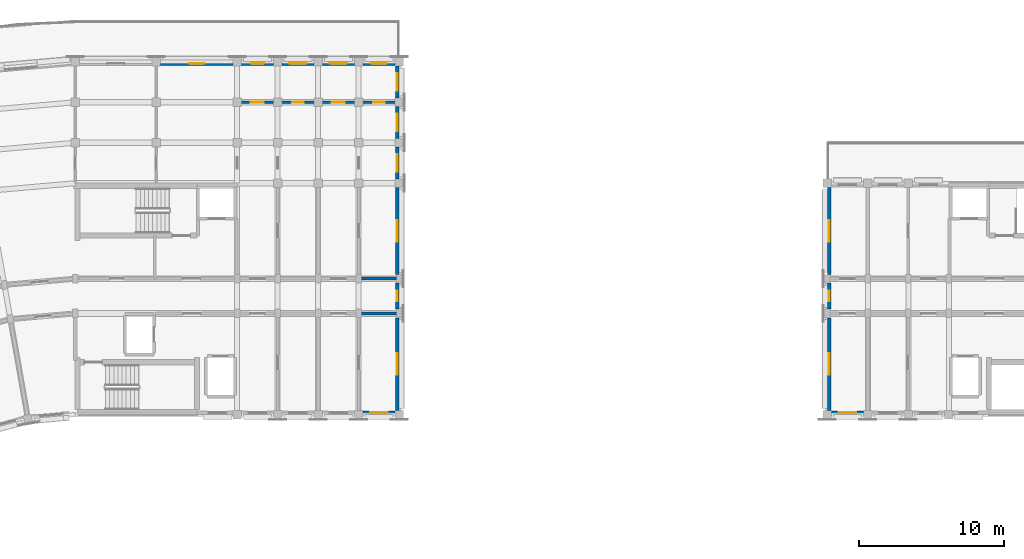
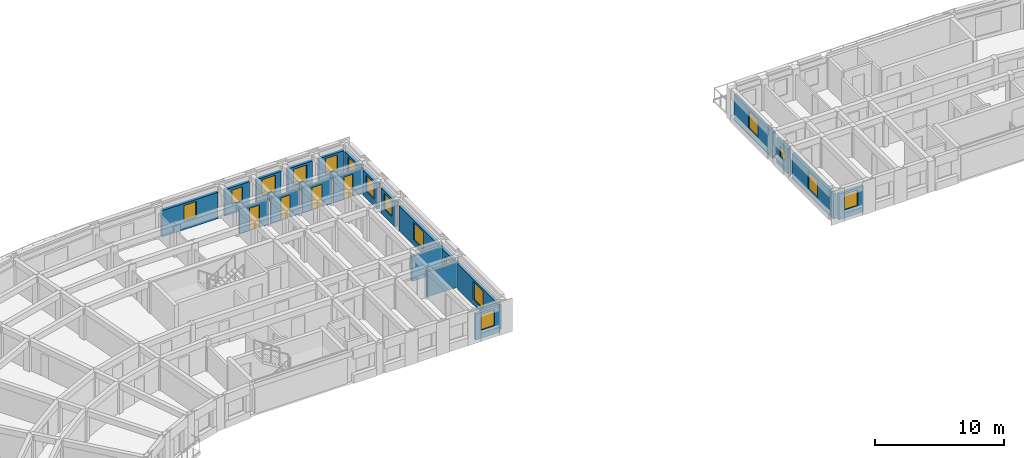
# One storey, part 16 of 32: 22 walls, 16 windows, 4 doors, 20 openings.
"""IFC4 building model written with IfcOpenShell, lengths in metres."""

from ifc_helpers import new_model, si_unit, direction, frame, frame_2d, origin, place, context, subcontext, project, spatial, rectangle, extrude, material, layer, layer_set, type_object, element, fill, save


model = new_model("IFC4")

# Units and contexts
model_context = context("Model", 3, precision=1e-05, world=origin(), true_north=direction((0.0, 1.0)))
body_context = subcontext(model_context, "Body", "Model", "MODEL_VIEW")
ifc_project = project(units=[si_unit("LENGTHUNIT", "METRE"), si_unit("AREAUNIT", "SQUARE_METRE"), si_unit("VOLUMEUNIT", "CUBIC_METRE"), si_unit("PLANEANGLEUNIT", "RADIAN"), si_unit("MASSUNIT", "GRAM", prefix="KILO")], contexts=[model_context])

# Site, building, storey
site_placement = place(None, origin())
site = spatial("IfcSite", under=ifc_project, at=site_placement, CompositionType="ELEMENT")
building_placement = place(site_placement, origin())
building = spatial("IfcBuilding", under=site, at=building_placement, Name="Kiranvali Square Residences", CompositionType="ELEMENT")
storey_placement = place(building_placement, frame((0.0, 0.0, 40.199951171875)))
storey = spatial("IfcBuildingStorey", under=building, at=storey_placement, Name="L12", CompositionType="ELEMENT", Elevation=40.199951171875)

# Walls
ifc_material_1 = material(Name="Autoclaved aerated concrete blockwork masonry", Category="masonry")
ifc_layer_1 = layer(ifc_material_1, 0.199951171875)
ifc_layer_set_1 = layer_set([ifc_layer_1], Name="Autoclaved aerated concrete blockwork masonry")
wall_type_1 = type_object("IfcWallType", Name="WL-COR-200", PredefinedType="STANDARD", material=ifc_layer_set_1)
for number, where, z_axis, x_axis, name in (
    (1, (67.800048828125, 113.60009765625, 0.0), (0.0, 0.0, 1.0), (1.0, 0.0, 0.0), "L12 architectural wall WL-L12-A-A1CI-3"),
    (2, (67.800048828125, 116.0, 0.0), (0.0, 0.0, 1.0), (1.0, 0.0, 0.0), "L12 architectural wall WL-L12-A-A1CO-3"),
):
    element("IfcWall", number, at=place(storey_placement, frame(where, z_axis=z_axis, x_axis=x_axis)), inside=storey, type_object=wall_type_1, Name=name, PredefinedType="STANDARD", context=body_context, shape_type="SweptSolid", body=[
        extrude(rectangle(XDim=2.800048828125, YDim=0.199951171875, at=frame_2d((1.39990234375, 0.0))), origin(), (0.0, 0.0, 1.0), 2.3720703125),
    ])

# Wall, opening, window
ifc_material_2 = material(Name="Breathable lime-rendered clay brick masonry", Category="masonry")
ifc_layer_2 = layer(ifc_material_2, 0.25)
ifc_layer_set_2 = layer_set([ifc_layer_2], Name="Breathable lime-rendered clay brick masonry")
wall_type_2 = type_object("IfcWallType", Name="WL-EXT-250", PredefinedType="STANDARD", material=ifc_layer_set_2)
wall_1_placement = place(storey_placement, frame((54.103515625, 130.875, 0.0), z_axis=(0.0, 0.0, 1.0), x_axis=(1.0, 0.0, 0.0)))
wall_1 = element("IfcWall", 3, at=wall_1_placement, inside=storey, type_object=wall_type_2, Name="L12 exterior wall A-L12-A1O-1", PredefinedType="STANDARD", context=body_context, shape_type="SweptSolid", body=[
    extrude(rectangle(XDim=4.992919921875, YDim=0.25, at=frame_2d((2.49658203125, 0.0))), origin(), (0.0, 0.0, 1.0), 2.47998046875),
])
opening_1_placement = place(wall_1_placement, frame((1.946533203125, 0.0, 0.830078125)))
opening_1 = element("IfcOpeningElement", 4, at=opening_1_placement, cuts=wall_1, Name="Opening W-15", PredefinedType="OPENING", context=body_context, shape_type="SweptSolid", body=[
    extrude(rectangle(XDim=1.10009765625, YDim=1.449951171875, at=frame_2d((0.550048828125, 0.72509765625))), frame((0.0, 0.135009765625, 0.0), z_axis=(0.0, -1.0, 0.0), x_axis=(1.0, 0.0, 0.0)), (0.0, 0.0, 1.0), 0.27001953125),
])
ifc_material_3 = material(Name="Solar-control low-e double glazing", Category="glass")
window_type_1 = type_object("IfcWindowType", Name="WIN-RES-1100x1450", PartitioningType="SINGLE_PANEL", PredefinedType="WINDOW", material=ifc_material_3)
window_1_placement = place(opening_1_placement, origin())
window_1 = element("IfcWindow", 5, at=window_1_placement, inside=storey, type_object=window_type_1, Name="L12 recessed window A-L12-A1O-1", OverallHeight=1.449951171875, OverallWidth=1.10009765625, PartitioningType="SINGLE_PANEL", PredefinedType="WINDOW", context=body_context, shape_type="SweptSolid", body=[
    extrude(rectangle(XDim=1.10009765625, YDim=1.449951171875, at=frame_2d((0.550048828125, 0.72509765625))), frame((0.0, 0.030029296875, 0.0), z_axis=(0.0, -1.0, 0.0), x_axis=(1.0, 0.0, 0.0)), (0.0, 0.0, 1.0), 0.06005859375),
])
fill(opening_1, window_1)

wall_2_placement = place(storey_placement, frame((59.70361328125, 130.875, 0.0), z_axis=(0.0, 0.0, 1.0), x_axis=(1.0, 0.0, 0.0)))
wall_2 = element("IfcWall", 6, at=wall_2_placement, inside=storey, type_object=wall_type_2, Name="L12 exterior wall A-L12-A1O-2", PredefinedType="STANDARD", context=body_context, shape_type="SweptSolid", body=[
    extrude(rectangle(XDim=2.19287109375, YDim=0.25, at=frame_2d((1.096435546875, 0.0))), origin(), (0.0, 0.0, 1.0), 2.47998046875),
])
opening_2_placement = place(wall_2_placement, frame((0.62158203125, 0.0, 0.8798828125)))
opening_2 = element("IfcOpeningElement", 7, at=opening_2_placement, cuts=wall_2, Name="Opening W-16", PredefinedType="OPENING", context=body_context, shape_type="SweptSolid", body=[
    extrude(rectangle(XDim=0.949951171875, YDim=1.35009765625, at=frame_2d((0.47509765625, 0.675048828125))), frame((0.0, 0.135009765625, 0.0), z_axis=(0.0, -1.0, 0.0), x_axis=(1.0, 0.0, 0.0)), (0.0, 0.0, 1.0), 0.27001953125),
])
window_type_2 = type_object("IfcWindowType", Name="WIN-RES-950x1350", PartitioningType="SINGLE_PANEL", PredefinedType="WINDOW", material=ifc_material_3)
window_2_placement = place(opening_2_placement, origin())
window_2 = element("IfcWindow", 8, at=window_2_placement, inside=storey, type_object=window_type_2, Name="L12 recessed window A-L12-A1O-2", OverallHeight=1.35009765625, OverallWidth=0.949951171875, PartitioningType="SINGLE_PANEL", PredefinedType="WINDOW", context=body_context, shape_type="SweptSolid", body=[
    extrude(rectangle(XDim=0.949951171875, YDim=1.35009765625, at=frame_2d((0.47509765625, 0.675048828125))), frame((0.0, 0.030029296875, 0.0), z_axis=(0.0, -1.0, 0.0), x_axis=(1.0, 0.0, 0.0)), (0.0, 0.0, 1.0), 0.06005859375),
])
fill(opening_2, window_2)

wall_3_placement = place(storey_placement, frame((62.50341796875, 130.875, 0.0), z_axis=(0.0, 0.0, 1.0), x_axis=(1.0, 0.0, 0.0)))
wall_3 = element("IfcWall", 9, at=wall_3_placement, inside=storey, type_object=wall_type_2, Name="L12 exterior wall A-L12-A1O-3", PredefinedType="STANDARD", context=body_context, shape_type="SweptSolid", body=[
    extrude(rectangle(XDim=2.193115234375, YDim=0.25, at=frame_2d((1.0966796875, 0.0))), origin(), (0.0, 0.0, 1.0), 2.47998046875),
])
opening_3_placement = place(wall_3_placement, frame((0.49658203125, 0.0, 0.780029296875)))
opening_3 = element("IfcOpeningElement", 10, at=opening_3_placement, cuts=wall_3, Name="Opening W-06", PredefinedType="OPENING", context=body_context, shape_type="SweptSolid", body=[
    extrude(rectangle(XDim=1.199951171875, YDim=1.5, at=frame_2d((0.60009765625, 0.75))), frame((0.0, 0.135009765625, 0.0), z_axis=(0.0, -1.0, 0.0), x_axis=(1.0, 0.0, 0.0)), (0.0, 0.0, 1.0), 0.27001953125),
])
window_type_3 = type_object("IfcWindowType", Name="WIN-RES-1200x1500", PartitioningType="SINGLE_PANEL", PredefinedType="WINDOW", material=ifc_material_3)
window_3_placement = place(opening_3_placement, origin())
window_3 = element("IfcWindow", 11, at=window_3_placement, inside=storey, type_object=window_type_3, Name="L12 recessed window A-L12-A1O-3", OverallHeight=1.5, OverallWidth=1.199951171875, PartitioningType="SINGLE_PANEL", PredefinedType="WINDOW", context=body_context, shape_type="SweptSolid", body=[
    extrude(rectangle(XDim=1.199951171875, YDim=1.5, at=frame_2d((0.60009765625, 0.75))), frame((0.0, 0.030029296875, 0.0), z_axis=(0.0, -1.0, 0.0), x_axis=(1.0, 0.0, 0.0)), (0.0, 0.0, 1.0), 0.06005859375),
])
fill(opening_3, window_3)

wall_4_placement = place(storey_placement, frame((65.303466796875, 130.875, 0.0), z_axis=(0.0, 0.0, 1.0), x_axis=(1.0, 0.0, 0.0)))
wall_4 = element("IfcWall", 12, at=wall_4_placement, inside=storey, type_object=wall_type_2, Name="L12 exterior wall A-L12-A1O-4", PredefinedType="STANDARD", context=body_context, shape_type="SweptSolid", body=[
    extrude(rectangle(XDim=2.193115234375, YDim=0.25, at=frame_2d((1.0966796875, 0.0))), origin(), (0.0, 0.0, 1.0), 2.47998046875),
])
opening_4_placement = place(wall_4_placement, frame((0.49658203125, 0.0, 0.780029296875)))
opening_4 = element("IfcOpeningElement", 13, at=opening_4_placement, cuts=wall_4, Name="Opening W-06", PredefinedType="OPENING", context=body_context, shape_type="SweptSolid", body=[
    extrude(rectangle(XDim=1.199951171875, YDim=1.5, at=frame_2d((0.60009765625, 0.75))), frame((0.0, 0.135009765625, 0.0), z_axis=(0.0, -1.0, 0.0), x_axis=(1.0, 0.0, 0.0)), (0.0, 0.0, 1.0), 0.27001953125),
])
window_4_placement = place(opening_4_placement, origin())
window_4 = element("IfcWindow", 14, at=window_4_placement, inside=storey, type_object=window_type_3, Name="L12 recessed window A-L12-A1O-4", OverallHeight=1.5, OverallWidth=1.199951171875, PartitioningType="SINGLE_PANEL", PredefinedType="WINDOW", context=body_context, shape_type="SweptSolid", body=[
    extrude(rectangle(XDim=1.199951171875, YDim=1.5, at=frame_2d((0.60009765625, 0.75))), frame((0.0, 0.030029296875, 0.0), z_axis=(0.0, -1.0, 0.0), x_axis=(1.0, 0.0, 0.0)), (0.0, 0.0, 1.0), 0.06005859375),
])
fill(opening_4, window_4)

wall_5_placement = place(storey_placement, frame((68.103515625, 130.875, 0.0), z_axis=(0.0, 0.0, 1.0), x_axis=(1.0, 0.0, 0.0)))
wall_5 = element("IfcWall", 15, at=wall_5_placement, inside=storey, type_object=wall_type_2, Name="L12 exterior wall A-L12-A1O-5", PredefinedType="STANDARD", context=body_context, shape_type="SweptSolid", body=[
    extrude(rectangle(XDim=2.19287109375, YDim=0.25, at=frame_2d((1.096435546875, 0.0))), origin(), (0.0, 0.0, 1.0), 2.47998046875),
])
opening_5_placement = place(wall_5_placement, frame((0.54638671875, 0.0, 0.830078125)))
opening_5 = element("IfcOpeningElement", 16, at=opening_5_placement, cuts=wall_5, Name="Opening W-15", PredefinedType="OPENING", context=body_context, shape_type="SweptSolid", body=[
    extrude(rectangle(XDim=1.10009765625, YDim=1.449951171875, at=frame_2d((0.550048828125, 0.72509765625))), frame((0.0, 0.135009765625, 0.0), z_axis=(0.0, -1.0, 0.0), x_axis=(1.0, 0.0, 0.0)), (0.0, 0.0, 1.0), 0.27001953125),
])
window_5_placement = place(opening_5_placement, origin())
window_5 = element("IfcWindow", 17, at=window_5_placement, inside=storey, type_object=window_type_1, Name="L12 recessed window A-L12-A1O-5", OverallHeight=1.449951171875, OverallWidth=1.10009765625, PartitioningType="SINGLE_PANEL", PredefinedType="WINDOW", context=body_context, shape_type="SweptSolid", body=[
    extrude(rectangle(XDim=1.10009765625, YDim=1.449951171875, at=frame_2d((0.550048828125, 0.72509765625))), frame((0.0, 0.030029296875, 0.0), z_axis=(0.0, -1.0, 0.0), x_axis=(1.0, 0.0, 0.0)), (0.0, 0.0, 1.0), 0.06005859375),
])
fill(opening_5, window_5)

wall_6_placement = place(storey_placement, frame((68.103515625, 106.72509765625, 0.0), z_axis=(0.0, 0.0, 1.0), x_axis=(1.0, 0.0, 0.0)))
wall_6 = element("IfcWall", 18, at=wall_6_placement, inside=storey, type_object=wall_type_2, Name="L12 exterior wall A-L12-A1I-3", PredefinedType="STANDARD", context=body_context, shape_type="SweptSolid", body=[
    extrude(rectangle(XDim=2.19287109375, YDim=0.25, at=frame_2d((1.096435546875, 0.0))), origin(), (0.0, 0.0, 1.0), 2.47216796875),
])
opening_6_placement = place(wall_6_placement, frame((0.49658203125, 0.0, 0.77197265625)))
opening_6 = element("IfcOpeningElement", 19, at=opening_6_placement, cuts=wall_6, Name="Opening W-06", PredefinedType="OPENING", context=body_context, shape_type="SweptSolid", body=[
    extrude(rectangle(XDim=1.199951171875, YDim=1.5, at=frame_2d((0.60009765625, 0.75))), frame((0.0, 0.135009765625, 0.0), z_axis=(0.0, -1.0, 0.0), x_axis=(1.0, 0.0, 0.0)), (0.0, 0.0, 1.0), 0.27001953125),
])
window_6_placement = place(opening_6_placement, origin())
window_6 = element("IfcWindow", 20, at=window_6_placement, inside=storey, type_object=window_type_3, Name="L12 recessed window A-L12-A1I-3", OverallHeight=1.5, OverallWidth=1.199951171875, PartitioningType="SINGLE_PANEL", PredefinedType="WINDOW", context=body_context, shape_type="SweptSolid", body=[
    extrude(rectangle(XDim=1.199951171875, YDim=1.5, at=frame_2d((0.60009765625, 0.75))), frame((0.0, 0.030029296875, 0.0), z_axis=(0.0, -1.0, 0.0), x_axis=(1.0, 0.0, 0.0)), (0.0, 0.0, 1.0), 0.06005859375),
])
fill(opening_6, window_6)

wall_7_placement = place(storey_placement, frame((70.47509765625, 106.903564453125, 0.0), z_axis=(0.0, 0.0, 1.0), x_axis=(0.0, 1.0, 0.0)))
wall_7 = element("IfcWall", 21, at=wall_7_placement, inside=storey, type_object=wall_type_2, Name="L12 exterior wall A-L12-A1END-0", PredefinedType="STANDARD", context=body_context, shape_type="SweptSolid", body=[
    extrude(rectangle(XDim=6.392822265625, YDim=0.25, at=frame_2d((3.1962890625, 0.0))), origin(), (0.0, 0.0, 1.0), 2.3720703125),
])
opening_7_placement = place(wall_7_placement, frame((2.446533203125, 0.0, 0.52197265625)))
opening_7 = element("IfcOpeningElement", 22, at=opening_7_placement, cuts=wall_7, Name="Opening W-05", PredefinedType="OPENING", context=body_context, shape_type="SweptSolid", body=[
    extrude(rectangle(XDim=1.5, YDim=1.64990234375, at=frame_2d((0.75, 0.824951171875))), frame((0.0, 0.135009765625, 0.0), z_axis=(0.0, -1.0, 0.0), x_axis=(1.0, 0.0, 0.0)), (0.0, 0.0, 1.0), 0.27001953125),
])
window_type_4 = type_object("IfcWindowType", Name="WIN-RES-1500x1650", PartitioningType="DOUBLE_PANEL_VERTICAL", PredefinedType="WINDOW", material=ifc_material_3)
window_7_placement = place(opening_7_placement, origin())
window_7 = element("IfcWindow", 23, at=window_7_placement, inside=storey, type_object=window_type_4, Name="L12 recessed window A-L12-A1END-0", OverallHeight=1.64990234375, OverallWidth=1.5, PartitioningType="DOUBLE_PANEL_VERTICAL", PredefinedType="WINDOW", context=body_context, shape_type="SweptSolid", body=[
    extrude(rectangle(XDim=1.5, YDim=1.64990234375, at=frame_2d((0.75, 0.824951171875))), frame((0.0, 0.030029296875, 0.0), z_axis=(0.0, -1.0, 0.0), x_axis=(1.0, 0.0, 0.0)), (0.0, 0.0, 1.0), 0.06005859375),
])
fill(opening_7, window_7)

wall_8_placement = place(storey_placement, frame((70.47509765625, 113.903564453125, 0.0), z_axis=(0.0, 0.0, 1.0), x_axis=(0.0, 1.0, 0.0)))
wall_8 = element("IfcWall", 24, at=wall_8_placement, inside=storey, type_object=wall_type_2, Name="L12 exterior wall A-L12-A1END-1", PredefinedType="STANDARD", context=body_context, shape_type="SweptSolid", body=[
    extrude(rectangle(XDim=1.79296875, YDim=0.25, at=frame_2d((0.896484375, 0.0))), origin(), (0.0, 0.0, 1.0), 2.3720703125),
])
opening_8_placement = place(wall_8_placement, frame((0.521484375, 0.0, 0.8798828125)))
opening_8 = element("IfcOpeningElement", 25, at=opening_8_placement, cuts=wall_8, Name="Opening W-07", PredefinedType="OPENING", context=body_context, shape_type="SweptSolid", body=[
    extrude(rectangle(XDim=0.75, YDim=1.050048828125, at=frame_2d((0.375, 0.52490234375))), frame((0.0, 0.135009765625, 0.0), z_axis=(0.0, -1.0, 0.0), x_axis=(1.0, 0.0, 0.0)), (0.0, 0.0, 1.0), 0.27001953125),
])
window_type_5 = type_object("IfcWindowType", Name="WIN-WET-750x1050", PartitioningType="SINGLE_PANEL", PredefinedType="WINDOW", material=ifc_material_3)
window_8_placement = place(opening_8_placement, origin())
window_8 = element("IfcWindow", 26, at=window_8_placement, inside=storey, type_object=window_type_5, Name="L12 recessed window A-L12-A1END-1", OverallHeight=1.050048828125, OverallWidth=0.75, PartitioningType="SINGLE_PANEL", PredefinedType="WINDOW", context=body_context, shape_type="SweptSolid", body=[
    extrude(rectangle(XDim=0.75, YDim=1.050048828125, at=frame_2d((0.375, 0.52490234375))), frame((0.0, 0.030029296875, 0.0), z_axis=(0.0, -1.0, 0.0), x_axis=(1.0, 0.0, 0.0)), (0.0, 0.0, 1.0), 0.06005859375),
])
fill(opening_8, window_8)

wall_9_placement = place(storey_placement, frame((70.47509765625, 116.303466796875, 0.0), z_axis=(0.0, 0.0, 1.0), x_axis=(0.0, 1.0, 0.0)))
wall_9 = element("IfcWall", 27, at=wall_9_placement, inside=storey, type_object=wall_type_2, Name="L12 exterior wall A-L12-A1END-2", PredefinedType="STANDARD", context=body_context, shape_type="SweptSolid", body=[
    extrude(rectangle(XDim=5.992919921875, YDim=0.25, at=frame_2d((2.99658203125, 0.0))), origin(), (0.0, 0.0, 1.0), 2.3720703125),
])
opening_9_placement = place(wall_9_placement, frame((2.24658203125, 0.0, 0.52197265625)))
opening_9 = element("IfcOpeningElement", 28, at=opening_9_placement, cuts=wall_9, Name="Opening W-05", PredefinedType="OPENING", context=body_context, shape_type="SweptSolid", body=[
    extrude(rectangle(XDim=1.5, YDim=1.64990234375, at=frame_2d((0.75, 0.824951171875))), frame((0.0, 0.135009765625, 0.0), z_axis=(0.0, -1.0, 0.0), x_axis=(1.0, 0.0, 0.0)), (0.0, 0.0, 1.0), 0.27001953125),
])
window_9_placement = place(opening_9_placement, origin())
window_9 = element("IfcWindow", 29, at=window_9_placement, inside=storey, type_object=window_type_4, Name="L12 recessed window A-L12-A1END-2", OverallHeight=1.64990234375, OverallWidth=1.5, PartitioningType="DOUBLE_PANEL_VERTICAL", PredefinedType="WINDOW", context=body_context, shape_type="SweptSolid", body=[
    extrude(rectangle(XDim=1.5, YDim=1.64990234375, at=frame_2d((0.75, 0.824951171875))), frame((0.0, 0.030029296875, 0.0), z_axis=(0.0, -1.0, 0.0), x_axis=(1.0, 0.0, 0.0)), (0.0, 0.0, 1.0), 0.06005859375),
])
fill(opening_9, window_9)

wall_10_placement = place(storey_placement, frame((70.47509765625, 122.903564453125, 0.0), z_axis=(0.0, 0.0, 1.0), x_axis=(0.0, 1.0, 0.0)))
wall_10 = element("IfcWall", 30, at=wall_10_placement, inside=storey, type_object=wall_type_2, Name="L12 exterior wall A-L12-A1END-3", PredefinedType="STANDARD", context=body_context, shape_type="SweptSolid", body=[
    extrude(rectangle(XDim=2.19287109375, YDim=0.25, at=frame_2d((1.096435546875, 0.0))), origin(), (0.0, 0.0, 1.0), 2.3720703125),
])
opening_10_placement = place(wall_10_placement, frame((0.49658203125, 0.0, 0.672119140625)))
opening_10 = element("IfcOpeningElement", 31, at=opening_10_placement, cuts=wall_10, Name="Opening W-06", PredefinedType="OPENING", context=body_context, shape_type="SweptSolid", body=[
    extrude(rectangle(XDim=1.199951171875, YDim=1.5, at=frame_2d((0.60009765625, 0.75))), frame((0.0, 0.135009765625, 0.0), z_axis=(0.0, -1.0, 0.0), x_axis=(1.0, 0.0, 0.0)), (0.0, 0.0, 1.0), 0.27001953125),
])
window_10_placement = place(opening_10_placement, origin())
window_10 = element("IfcWindow", 32, at=window_10_placement, inside=storey, type_object=window_type_3, Name="L12 recessed window A-L12-A1END-3", OverallHeight=1.5, OverallWidth=1.199951171875, PartitioningType="SINGLE_PANEL", PredefinedType="WINDOW", context=body_context, shape_type="SweptSolid", body=[
    extrude(rectangle(XDim=1.199951171875, YDim=1.5, at=frame_2d((0.60009765625, 0.75))), frame((0.0, 0.030029296875, 0.0), z_axis=(0.0, -1.0, 0.0), x_axis=(1.0, 0.0, 0.0)), (0.0, 0.0, 1.0), 0.06005859375),
])
fill(opening_10, window_10)

wall_11_placement = place(storey_placement, frame((70.47509765625, 125.70361328125, 0.0), z_axis=(0.0, 0.0, 1.0), x_axis=(0.0, 1.0, 0.0)))
wall_11 = element("IfcWall", 33, at=wall_11_placement, inside=storey, type_object=wall_type_2, Name="L12 exterior wall A-L12-A1END-4", PredefinedType="STANDARD", context=body_context, shape_type="SweptSolid", body=[
    extrude(rectangle(XDim=2.19287109375, YDim=0.25, at=frame_2d((1.096435546875, 0.0))), origin(), (0.0, 0.0, 1.0), 2.3720703125),
])
opening_11_placement = place(wall_11_placement, frame((0.49658203125, 0.0, 0.672119140625)))
opening_11 = element("IfcOpeningElement", 34, at=opening_11_placement, cuts=wall_11, Name="Opening W-06", PredefinedType="OPENING", context=body_context, shape_type="SweptSolid", body=[
    extrude(rectangle(XDim=1.199951171875, YDim=1.5, at=frame_2d((0.60009765625, 0.75))), frame((0.0, 0.135009765625, 0.0), z_axis=(0.0, -1.0, 0.0), x_axis=(1.0, 0.0, 0.0)), (0.0, 0.0, 1.0), 0.27001953125),
])
window_11_placement = place(opening_11_placement, origin())
window_11 = element("IfcWindow", 35, at=window_11_placement, inside=storey, type_object=window_type_3, Name="L12 recessed window A-L12-A1END-4", OverallHeight=1.5, OverallWidth=1.199951171875, PartitioningType="SINGLE_PANEL", PredefinedType="WINDOW", context=body_context, shape_type="SweptSolid", body=[
    extrude(rectangle(XDim=1.199951171875, YDim=1.5, at=frame_2d((0.60009765625, 0.75))), frame((0.0, 0.030029296875, 0.0), z_axis=(0.0, -1.0, 0.0), x_axis=(1.0, 0.0, 0.0)), (0.0, 0.0, 1.0), 0.06005859375),
])
fill(opening_11, window_11)

wall_12_placement = place(storey_placement, frame((70.47509765625, 128.50341796875, 0.0), z_axis=(0.0, 0.0, 1.0), x_axis=(0.0, 1.0, 0.0)))
wall_12 = element("IfcWall", 36, at=wall_12_placement, inside=storey, type_object=wall_type_2, Name="L12 exterior wall A-L12-A1END-5", PredefinedType="STANDARD", context=body_context, shape_type="SweptSolid", body=[
    extrude(rectangle(XDim=2.193115234375, YDim=0.25, at=frame_2d((1.0966796875, 0.0))), origin(), (0.0, 0.0, 1.0), 2.412109375),
])
opening_12_placement = place(wall_12_placement, frame((0.49658203125, 0.0, 0.7119140625)))
opening_12 = element("IfcOpeningElement", 37, at=opening_12_placement, cuts=wall_12, Name="Opening W-06", PredefinedType="OPENING", context=body_context, shape_type="SweptSolid", body=[
    extrude(rectangle(XDim=1.199951171875, YDim=1.5, at=frame_2d((0.60009765625, 0.75))), frame((0.0, 0.135009765625, 0.0), z_axis=(0.0, -1.0, 0.0), x_axis=(1.0, 0.0, 0.0)), (0.0, 0.0, 1.0), 0.27001953125),
])
window_12_placement = place(opening_12_placement, origin())
window_12 = element("IfcWindow", 38, at=window_12_placement, inside=storey, type_object=window_type_3, Name="L12 recessed window A-L12-A1END-5", OverallHeight=1.5, OverallWidth=1.199951171875, PartitioningType="SINGLE_PANEL", PredefinedType="WINDOW", context=body_context, shape_type="SweptSolid", body=[
    extrude(rectangle(XDim=1.199951171875, YDim=1.5, at=frame_2d((0.60009765625, 0.75))), frame((0.0, 0.030029296875, 0.0), z_axis=(0.0, -1.0, 0.0), x_axis=(1.0, 0.0, 0.0)), (0.0, 0.0, 1.0), 0.06005859375),
])
fill(opening_12, window_12)

wall_13_placement = place(storey_placement, frame((102.696533203125, 106.72509765625, 0.0), z_axis=(0.0, 0.0, 1.0), x_axis=(-1.0, 0.0, 0.0)))
wall_13 = element("IfcWall", 39, at=wall_13_placement, inside=storey, type_object=wall_type_2, Name="L12 exterior wall B-L12-A1I-2", PredefinedType="STANDARD", context=body_context, shape_type="SweptSolid", body=[
    extrude(rectangle(XDim=2.193115234375, YDim=0.25, at=frame_2d((1.0966796875, 0.0))), origin(), (0.0, 0.0, 1.0), 2.4521484375),
])
opening_13_placement = place(wall_13_placement, frame((0.49658203125, 0.0, 0.751953125)))
opening_13 = element("IfcOpeningElement", 40, at=opening_13_placement, cuts=wall_13, Name="Opening W-06", PredefinedType="OPENING", context=body_context, shape_type="SweptSolid", body=[
    extrude(rectangle(XDim=1.199951171875, YDim=1.5, at=frame_2d((0.60009765625, 0.75))), frame((0.0, 0.135009765625, 0.0), z_axis=(0.0, -1.0, 0.0), x_axis=(1.0, 0.0, 0.0)), (0.0, 0.0, 1.0), 0.27001953125),
])
window_13_placement = place(opening_13_placement, origin())
window_13 = element("IfcWindow", 41, at=window_13_placement, inside=storey, type_object=window_type_3, Name="L12 recessed window B-L12-A1I-2", OverallHeight=1.5, OverallWidth=1.199951171875, PartitioningType="SINGLE_PANEL", PredefinedType="WINDOW", context=body_context, shape_type="SweptSolid", body=[
    extrude(rectangle(XDim=1.199951171875, YDim=1.5, at=frame_2d((0.60009765625, 0.75))), frame((0.0, 0.030029296875, 0.0), z_axis=(0.0, -1.0, 0.0), x_axis=(1.0, 0.0, 0.0)), (0.0, 0.0, 1.0), 0.06005859375),
])
fill(opening_13, window_13)

wall_14_placement = place(storey_placement, frame((100.324951171875, 106.903564453125, 0.0), z_axis=(0.0, 0.0, 1.0), x_axis=(0.0, 1.0, 0.0)))
wall_14 = element("IfcWall", 42, at=wall_14_placement, inside=storey, type_object=wall_type_2, Name="L12 exterior wall B-L12-A1END-0", PredefinedType="STANDARD", context=body_context, shape_type="SweptSolid", body=[
    extrude(rectangle(XDim=6.392822265625, YDim=0.25, at=frame_2d((3.1962890625, 0.0))), origin(), (0.0, 0.0, 1.0), 2.35205078125),
])
opening_14_placement = place(wall_14_placement, frame((2.446533203125, 0.0, 0.501953125)))
opening_14 = element("IfcOpeningElement", 43, at=opening_14_placement, cuts=wall_14, Name="Opening W-05", PredefinedType="OPENING", context=body_context, shape_type="SweptSolid", body=[
    extrude(rectangle(XDim=1.5, YDim=1.64990234375, at=frame_2d((0.75, 0.824951171875))), frame((0.0, 0.135009765625, 0.0), z_axis=(0.0, -1.0, 0.0), x_axis=(1.0, 0.0, 0.0)), (0.0, 0.0, 1.0), 0.27001953125),
])
window_14_placement = place(opening_14_placement, origin())
window_14 = element("IfcWindow", 44, at=window_14_placement, inside=storey, type_object=window_type_4, Name="L12 recessed window B-L12-A1END-0", OverallHeight=1.64990234375, OverallWidth=1.5, PartitioningType="DOUBLE_PANEL_VERTICAL", PredefinedType="WINDOW", context=body_context, shape_type="SweptSolid", body=[
    extrude(rectangle(XDim=1.5, YDim=1.64990234375, at=frame_2d((0.75, 0.824951171875))), frame((0.0, 0.030029296875, 0.0), z_axis=(0.0, -1.0, 0.0), x_axis=(1.0, 0.0, 0.0)), (0.0, 0.0, 1.0), 0.06005859375),
])
fill(opening_14, window_14)

wall_15_placement = place(storey_placement, frame((100.324951171875, 113.903564453125, 0.0), z_axis=(0.0, 0.0, 1.0), x_axis=(0.0, 1.0, 0.0)))
wall_15 = element("IfcWall", 45, at=wall_15_placement, inside=storey, type_object=wall_type_2, Name="L12 exterior wall B-L12-A1END-1", PredefinedType="STANDARD", context=body_context, shape_type="SweptSolid", body=[
    extrude(rectangle(XDim=1.79296875, YDim=0.25, at=frame_2d((0.896484375, 0.0))), origin(), (0.0, 0.0, 1.0), 2.35205078125),
])
opening_15_placement = place(wall_15_placement, frame((0.521484375, 0.0, 0.8798828125)))
opening_15 = element("IfcOpeningElement", 46, at=opening_15_placement, cuts=wall_15, Name="Opening W-07", PredefinedType="OPENING", context=body_context, shape_type="SweptSolid", body=[
    extrude(rectangle(XDim=0.75, YDim=1.050048828125, at=frame_2d((0.375, 0.52490234375))), frame((0.0, 0.135009765625, 0.0), z_axis=(0.0, -1.0, 0.0), x_axis=(1.0, 0.0, 0.0)), (0.0, 0.0, 1.0), 0.27001953125),
])
window_15_placement = place(opening_15_placement, origin())
window_15 = element("IfcWindow", 47, at=window_15_placement, inside=storey, type_object=window_type_5, Name="L12 recessed window B-L12-A1END-1", OverallHeight=1.050048828125, OverallWidth=0.75, PartitioningType="SINGLE_PANEL", PredefinedType="WINDOW", context=body_context, shape_type="SweptSolid", body=[
    extrude(rectangle(XDim=0.75, YDim=1.050048828125, at=frame_2d((0.375, 0.52490234375))), frame((0.0, 0.030029296875, 0.0), z_axis=(0.0, -1.0, 0.0), x_axis=(1.0, 0.0, 0.0)), (0.0, 0.0, 1.0), 0.06005859375),
])
fill(opening_15, window_15)

wall_16_placement = place(storey_placement, frame((100.324951171875, 116.303466796875, 0.0), z_axis=(0.0, 0.0, 1.0), x_axis=(0.0, 1.0, 0.0)))
wall_16 = element("IfcWall", 48, at=wall_16_placement, inside=storey, type_object=wall_type_2, Name="L12 exterior wall B-L12-A1END-2", PredefinedType="STANDARD", context=body_context, shape_type="SweptSolid", body=[
    extrude(rectangle(XDim=5.992919921875, YDim=0.25, at=frame_2d((2.99658203125, 0.0))), origin(), (0.0, 0.0, 1.0), 2.4599609375),
])
opening_16_placement = place(wall_16_placement, frame((2.24658203125, 0.0, 0.610107421875)))
opening_16 = element("IfcOpeningElement", 49, at=opening_16_placement, cuts=wall_16, Name="Opening W-05", PredefinedType="OPENING", context=body_context, shape_type="SweptSolid", body=[
    extrude(rectangle(XDim=1.5, YDim=1.64990234375, at=frame_2d((0.75, 0.824951171875))), frame((0.0, 0.135009765625, 0.0), z_axis=(0.0, -1.0, 0.0), x_axis=(1.0, 0.0, 0.0)), (0.0, 0.0, 1.0), 0.27001953125),
])
window_16_placement = place(opening_16_placement, origin())
window_16 = element("IfcWindow", 50, at=window_16_placement, inside=storey, type_object=window_type_4, Name="L12 recessed window B-L12-A1END-2", OverallHeight=1.64990234375, OverallWidth=1.5, PartitioningType="DOUBLE_PANEL_VERTICAL", PredefinedType="WINDOW", context=body_context, shape_type="SweptSolid", body=[
    extrude(rectangle(XDim=1.5, YDim=1.64990234375, at=frame_2d((0.75, 0.824951171875))), frame((0.0, 0.030029296875, 0.0), z_axis=(0.0, -1.0, 0.0), x_axis=(1.0, 0.0, 0.0)), (0.0, 0.0, 1.0), 0.06005859375),
])
fill(opening_16, window_16)

# Wall, opening, door
ifc_layer_3 = layer(ifc_material_1, 0.159912109375)
ifc_layer_set_3 = layer_set([ifc_layer_3], Name="Autoclaved aerated concrete blockwork masonry")
wall_type_3 = type_object("IfcWallType", Name="WL-WET-160", PredefinedType="PLUMBINGWALL", material=ifc_layer_set_3)
wall_17_placement = place(storey_placement, frame((59.47998046875, 128.199951171875, 0.0), z_axis=(0.0, 0.0, 1.0), x_axis=(1.0, 0.0, 0.0)))
wall_17 = element("IfcWall", 51, at=wall_17_placement, inside=storey, type_object=wall_type_3, Name="L12 architectural wall WL-L12-A-A1SP-0", PredefinedType="PLUMBINGWALL", context=body_context, shape_type="SweptSolid", body=[
    extrude(rectangle(XDim=2.64013671875, YDim=0.159912109375, at=frame_2d((1.320068359375, 0.0))), origin(), (0.0, 0.0, 1.0), 2.3720703125),
])
opening_17_placement = place(wall_17_placement, frame((0.8701171875, 0.0, 0.0)))
opening_17 = element("IfcOpeningElement", 52, at=opening_17_placement, cuts=wall_17, Name="Opening ID-1", PredefinedType="OPENING", context=body_context, shape_type="SweptSolid", body=[
    extrude(rectangle(XDim=0.89990234375, YDim=2.10009765625, at=frame_2d((0.449951171875, 1.050048828125))), frame((0.0, 0.08984375, 0.0), z_axis=(0.0, -1.0, 0.0), x_axis=(1.0, 0.0, 0.0)), (0.0, 0.0, 1.0), 0.179931640625),
])
ifc_material_4 = material(Name="Solid seasoned teak hardwood joinery", Category="wood")
door_type_1 = type_object("IfcDoorType", Name="DR-INT-900", OperationType="NOTDEFINED", PredefinedType="DOOR", material=ifc_material_4)
door_1_placement = place(opening_17_placement, origin())
door_1 = element("IfcDoor", 53, at=door_1_placement, inside=storey, type_object=door_type_1, Name="L12 door DR-L12-0753 (DR-INT-900)", OperationType="SINGLE_SWING_LEFT", OverallHeight=2.10009765625, OverallWidth=0.89990234375, PredefinedType="DOOR", context=body_context, shape_type="SweptSolid", body=[
    extrude(rectangle(XDim=0.89990234375, YDim=2.10009765625, at=frame_2d((0.449951171875, 1.050048828125))), frame((0.0, 0.02490234375, 0.0), z_axis=(0.0, -1.0, 0.0), x_axis=(1.0, 0.0, 0.0)), (0.0, 0.0, 1.0), 0.050048828125),
])
fill(opening_17, door_1)

wall_18_placement = place(storey_placement, frame((62.280029296875, 128.199951171875, 0.0), z_axis=(0.0, 0.0, 1.0), x_axis=(1.0, 0.0, 0.0)))
wall_18 = element("IfcWall", 54, at=wall_18_placement, inside=storey, type_object=wall_type_3, Name="L12 architectural wall WL-L12-A-A1SP-1", PredefinedType="PLUMBINGWALL", context=body_context, shape_type="SweptSolid", body=[
    extrude(rectangle(XDim=2.639892578125, YDim=0.159912109375, at=frame_2d((1.31982421875, 0.0))), origin(), (0.0, 0.0, 1.0), 2.3720703125),
])
opening_18_placement = place(wall_18_placement, frame((0.919921875, 0.0, 0.0)))
opening_18 = element("IfcOpeningElement", 55, at=opening_18_placement, cuts=wall_18, Name="Opening ID-WET", PredefinedType="OPENING", context=body_context, shape_type="SweptSolid", body=[
    extrude(rectangle(XDim=0.800048828125, YDim=2.10009765625, at=frame_2d((0.39990234375, 1.050048828125))), frame((0.0, 0.08984375, 0.0), z_axis=(0.0, -1.0, 0.0), x_axis=(1.0, 0.0, 0.0)), (0.0, 0.0, 1.0), 0.179931640625),
])
door_type_2 = type_object("IfcDoorType", Name="DR-WET-800", OperationType="NOTDEFINED", PredefinedType="DOOR", material=ifc_material_4)
door_2_placement = place(opening_18_placement, origin())
door_2 = element("IfcDoor", 56, at=door_2_placement, inside=storey, type_object=door_type_2, Name="L12 door DR-L12-0755 (DR-WET-800)", OperationType="SINGLE_SWING_LEFT", OverallHeight=2.10009765625, OverallWidth=0.800048828125, PredefinedType="DOOR", context=body_context, shape_type="SweptSolid", body=[
    extrude(rectangle(XDim=0.800048828125, YDim=2.10009765625, at=frame_2d((0.39990234375, 1.050048828125))), frame((0.0, 0.02490234375, 0.0), z_axis=(0.0, -1.0, 0.0), x_axis=(1.0, 0.0, 0.0)), (0.0, 0.0, 1.0), 0.050048828125),
])
fill(opening_18, door_2)

wall_19_placement = place(storey_placement, frame((65.080078125, 128.199951171875, 0.0), z_axis=(0.0, 0.0, 1.0), x_axis=(1.0, 0.0, 0.0)))
wall_19 = element("IfcWall", 57, at=wall_19_placement, inside=storey, type_object=wall_type_3, Name="L12 architectural wall WL-L12-A-A1SP-2", PredefinedType="PLUMBINGWALL", context=body_context, shape_type="SweptSolid", body=[
    extrude(rectangle(XDim=2.639892578125, YDim=0.159912109375, at=frame_2d((1.31982421875, 0.0))), origin(), (0.0, 0.0, 1.0), 2.3720703125),
])
opening_19_placement = place(wall_19_placement, frame((0.8701171875, 0.0, 0.0)))
opening_19 = element("IfcOpeningElement", 58, at=opening_19_placement, cuts=wall_19, Name="Opening ID-1", PredefinedType="OPENING", context=body_context, shape_type="SweptSolid", body=[
    extrude(rectangle(XDim=0.89990234375, YDim=2.10009765625, at=frame_2d((0.449951171875, 1.050048828125))), frame((0.0, 0.08984375, 0.0), z_axis=(0.0, -1.0, 0.0), x_axis=(1.0, 0.0, 0.0)), (0.0, 0.0, 1.0), 0.179931640625),
])
door_3_placement = place(opening_19_placement, origin())
door_3 = element("IfcDoor", 59, at=door_3_placement, inside=storey, type_object=door_type_1, Name="L12 door DR-L12-0757 (DR-INT-900)", OperationType="SINGLE_SWING_LEFT", OverallHeight=2.10009765625, OverallWidth=0.89990234375, PredefinedType="DOOR", context=body_context, shape_type="SweptSolid", body=[
    extrude(rectangle(XDim=0.89990234375, YDim=2.10009765625, at=frame_2d((0.449951171875, 1.050048828125))), frame((0.0, 0.02490234375, 0.0), z_axis=(0.0, -1.0, 0.0), x_axis=(1.0, 0.0, 0.0)), (0.0, 0.0, 1.0), 0.050048828125),
])
fill(opening_19, door_3)

wall_20_placement = place(storey_placement, frame((67.8798828125, 128.199951171875, 0.0), z_axis=(0.0, 0.0, 1.0), x_axis=(1.0, 0.0, 0.0)))
wall_20 = element("IfcWall", 60, at=wall_20_placement, inside=storey, type_object=wall_type_3, Name="L12 architectural wall WL-L12-A-A1SP-3", PredefinedType="PLUMBINGWALL", context=body_context, shape_type="SweptSolid", body=[
    extrude(rectangle(XDim=2.64013671875, YDim=0.159912109375, at=frame_2d((1.320068359375, 0.0))), origin(), (0.0, 0.0, 1.0), 2.3720703125),
])
opening_20_placement = place(wall_20_placement, frame((0.919921875, 0.0, 0.0)))
opening_20 = element("IfcOpeningElement", 61, at=opening_20_placement, cuts=wall_20, Name="Opening ID-WET", PredefinedType="OPENING", context=body_context, shape_type="SweptSolid", body=[
    extrude(rectangle(XDim=0.800048828125, YDim=2.10009765625, at=frame_2d((0.39990234375, 1.050048828125))), frame((0.0, 0.08984375, 0.0), z_axis=(0.0, -1.0, 0.0), x_axis=(1.0, 0.0, 0.0)), (0.0, 0.0, 1.0), 0.179931640625),
])
door_4_placement = place(opening_20_placement, origin())
door_4 = element("IfcDoor", 62, at=door_4_placement, inside=storey, type_object=door_type_2, Name="L12 door DR-L12-0759 (DR-WET-800)", OperationType="SINGLE_SWING_LEFT", OverallHeight=2.10009765625, OverallWidth=0.800048828125, PredefinedType="DOOR", context=body_context, shape_type="SweptSolid", body=[
    extrude(rectangle(XDim=0.800048828125, YDim=2.10009765625, at=frame_2d((0.39990234375, 1.050048828125))), frame((0.0, 0.02490234375, 0.0), z_axis=(0.0, -1.0, 0.0), x_axis=(1.0, 0.0, 0.0)), (0.0, 0.0, 1.0), 0.050048828125),
])
fill(opening_20, door_4)

save(model, "model.ifc")
